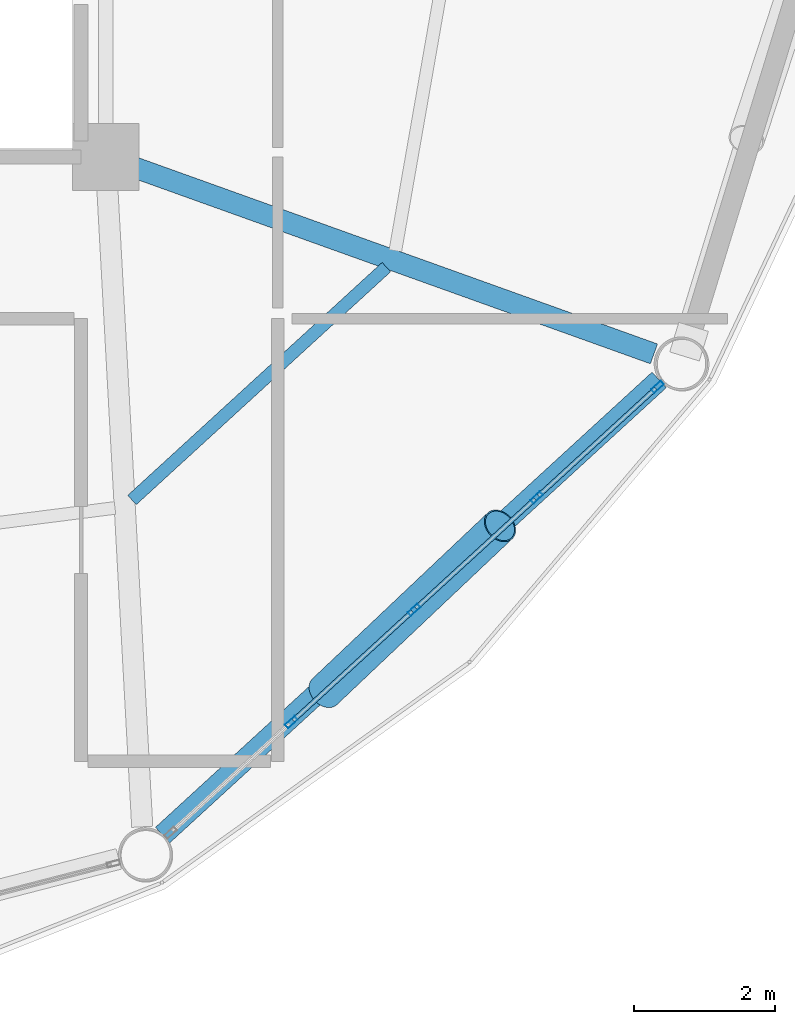
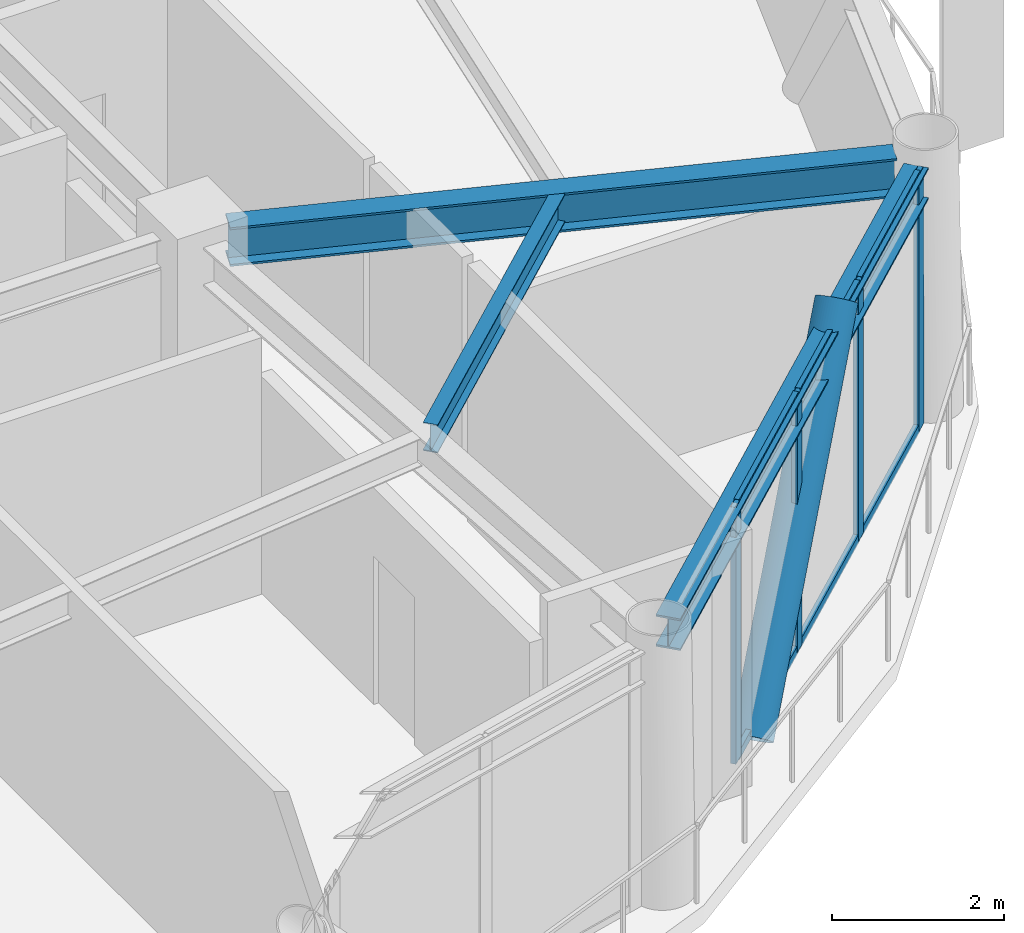
# One storey, part 13 of 26: 11 members, 3 beams, 1 element without a shape of its own.
"""IFC4 building model written with IfcOpenShell, lengths in metres."""

from ifc_helpers import new_model, si_unit, direction, frame, origin, origin_2d, place, context, subcontext, project, spatial, hollow_rectangle, hollow_circle, i_section, extrude, material, layer, layer_set, material_profile, profile_set, type_object, element, aggregate, save


model = new_model("IFC4")

# Units and contexts
model_context = context("Model", 3, precision=1e-05, world=origin(), true_north=direction((0.0, 1.0)))
body_context = subcontext(model_context, "Body", "Model", "MODEL_VIEW")
ifc_project = project(units=[si_unit("LENGTHUNIT", "METRE"), si_unit("AREAUNIT", "SQUARE_METRE"), si_unit("VOLUMEUNIT", "CUBIC_METRE"), si_unit("PLANEANGLEUNIT", "RADIAN"), si_unit("MASSUNIT", "GRAM", prefix="KILO")], contexts=[model_context])

# Site, building, storey
site_placement = place(None, origin())
site = spatial("IfcSite", under=ifc_project, at=site_placement, CompositionType="ELEMENT")
building_placement = place(site_placement, origin())
building = spatial("IfcBuilding", under=site, at=building_placement, Name="Varnakorn Sky Granary", CompositionType="ELEMENT")
storey_placement = place(building_placement, frame((0.0, 0.0, 138.300048828125)))
storey = spatial("IfcBuildingStorey", under=building, at=storey_placement, Name="L34", CompositionType="ELEMENT", Elevation=138.300048828125)

# Beams
ifc_material_1 = material(Name="Steel S355JR", Category="steel")
ifc_material_profile_1 = material_profile(ifc_material_1, i_section(OverallWidth=0.300048828125, OverallDepth=0.550048828125, WebThickness=0.014892578125, FlangeThickness=0.029052734375, at=origin_2d()), Name="HE 550 B")
ifc_profile_set_1 = profile_set([ifc_material_profile_1], Name="Steel S355JR")
beam_type_1 = type_object("IfcBeamType", Name="BM-RAD-Z3", PredefinedType="BEAM", material=ifc_profile_set_1)
beam_1_placement = place(storey_placement, frame((8.745361328125, -6.741943359375, 3.364990234375), z_axis=(0.94122779958, -0.337772451953, 0.0), x_axis=(0.337772451953, 0.94122779958, 0.0)))
element("IfcBeam", 1, at=beam_1_placement, inside=storey, type_object=beam_type_1, Name="Radial Floor Girder RG12 L34", PredefinedType="BEAM", context=body_context, shape_type="SweptSolid", body=[
    extrude(i_section(OverallWidth=0.300048828125, OverallDepth=0.550048828125, WebThickness=0.014892578125, FlangeThickness=0.029052734375, at=origin_2d()), origin(), (0.0, 0.0, 1.0), 7.87060546875),
])
ifc_material_profile_2 = material_profile(ifc_material_1, i_section(OverallWidth=0.179931640625, OverallDepth=0.39990234375, WebThickness=0.008544921875, FlangeThickness=0.013427734375, at=origin_2d()), Name="IPE 400")
ifc_profile_set_2 = profile_set([ifc_material_profile_2], Name="Steel S355JR")
beam_type_2 = type_object("IfcBeamType", Name="BM-SEC-Z3", PredefinedType="BEAM", material=ifc_profile_set_2)
beam_2_placement = place(storey_placement, frame((8.72509765625, -11.48046875, 3.43994140625), z_axis=(0.737601957736, 0.675235775078, 0.0), x_axis=(-0.675235775078, 0.737601957736, 0.0)))
element("IfcBeam", 2, at=beam_2_placement, inside=storey, type_object=beam_type_2, Name="Secondary Floor Chord Beam MSB11 L34", PredefinedType="BEAM", context=body_context, shape_type="SweptSolid", body=[
    extrude(i_section(OverallWidth=0.179931640625, OverallDepth=0.39990234375, WebThickness=0.008544921875, FlangeThickness=0.013427734375, at=origin_2d()), origin(), (0.0, 0.0, 1.0), 4.908935546875),
])
ifc_material_profile_3 = material_profile(ifc_material_1, i_section(OverallWidth=0.300048828125, OverallDepth=0.449951171875, WebThickness=0.013916015625, FlangeThickness=0.02587890625, at=origin_2d()), Name="HE 450 B")
ifc_profile_set_3 = profile_set([ifc_material_profile_3], Name="Steel S355JR")
beam_type_3 = type_object("IfcBeamType", Name="BM-SPD-Z3", PredefinedType="SPANDREL", material=ifc_profile_set_3)
beam_3_placement = place(storey_placement, frame((9.160888671875, -16.248779296875, 3.4150390625), z_axis=(0.737177396724, 0.675699256888, 0.0), x_axis=(-0.675699256888, 0.737177396724, 0.0)))
element("IfcBeam", 3, at=beam_3_placement, inside=storey, type_object=beam_type_3, Name="Perimeter Spandrel Ring Beam RB11 L34", PredefinedType="SPANDREL", context=body_context, shape_type="SweptSolid", body=[
    extrude(i_section(OverallWidth=0.300048828125, OverallDepth=0.449951171875, WebThickness=0.013916015625, FlangeThickness=0.02587890625, at=origin_2d()), origin(), (0.0, 0.0, 1.0), 9.58642578125),
])

# Curtain wall, members
ifc_material_2 = material(Name="Anodised Bronze Aluminium Alloy 6063-T6", Category="aluminium")
ifc_layer = layer(ifc_material_2, 0.179931640625, Name="Anodised Bronze Aluminium Alloy 6063-T6")
ifc_layer_set = layer_set([ifc_layer], Name="Anodised Bronze Aluminium Alloy 6063-T6")
curtain_wall_type = type_object("IfcCurtainWallType", Name="CW-FRM-2", PredefinedType="USERDEFINED", material=ifc_layer_set)
curtain_wall_placement = place(storey_placement, origin())
curtain_wall = element("IfcCurtainWall", 4, at=curtain_wall_placement, inside=storey, type_object=curtain_wall_type, Name="Unitised Curtain Wall CW4 CW-L34-B11", ObjectType="CURTAIN WALL", PredefinedType="USERDEFINED")
ifc_material_profile_4 = material_profile(ifc_material_2, hollow_rectangle(XDim=0.070068359375, YDim=0.18505859375, WallThickness=0.00390625, at=origin_2d()), Name="ALU MULL 70x185")
ifc_profile_set_4 = profile_set([ifc_material_profile_4], Name="Anodised Bronze Aluminium Alloy 6063-T6")
member_type_1 = type_object("IfcMemberType", Name="CW-FRM-2-MULL", PredefinedType="MULLION", material=ifc_profile_set_4)
member_1_placement = place(storey_placement, frame((16.203857421875, -9.86962890625, 0.0), z_axis=(0.0, 0.0, 1.0), x_axis=(0.675438035219, -0.737416748236, 0.0)))
member_1 = element("IfcMember", 5, at=member_1_placement, type_object=member_type_1, Name="CW4 mullion 1", PredefinedType="MULLION", context=body_context, shape_type="SweptSolid", body=[
    extrude(hollow_rectangle(XDim=0.070068359375, YDim=0.18505859375, WallThickness=0.00390625, at=origin_2d()), origin(), (0.0, 0.0, 1.0), 3.639892578125),
])
member_2_placement = place(storey_placement, frame((14.484619140625, -11.4443359375, 0.0), z_axis=(0.0, 0.0, 1.0), x_axis=(0.675438035219, -0.737416748236, 0.0)))
member_2 = element("IfcMember", 6, at=member_2_placement, type_object=member_type_1, Name="CW4 mullion 2", PredefinedType="MULLION", context=body_context, shape_type="SweptSolid", body=[
    extrude(hollow_rectangle(XDim=0.070068359375, YDim=0.18505859375, WallThickness=0.00390625, at=origin_2d()), origin(), (0.0, 0.0, 1.0), 3.639892578125),
])
member_3_placement = place(storey_placement, frame((12.739501953125, -13.042724609375, 0.0), z_axis=(0.0, 0.0, 1.0), x_axis=(0.675438035219, -0.737416748236, 0.0)))
member_3 = element("IfcMember", 7, at=member_3_placement, type_object=member_type_1, Name="CW4 mullion 3", PredefinedType="MULLION", context=body_context, shape_type="SweptSolid", body=[
    extrude(hollow_rectangle(XDim=0.070068359375, YDim=0.18505859375, WallThickness=0.00390625, at=origin_2d()), origin(), (0.0, 0.0, 1.0), 3.639892578125),
])
member_4_placement = place(storey_placement, frame((10.994384765625, -14.641357421875, 0.0), z_axis=(0.0, 0.0, 1.0), x_axis=(0.675438035219, -0.737416748236, 0.0)))
member_4 = element("IfcMember", 8, at=member_4_placement, type_object=member_type_1, Name="CW4 mullion 4", PredefinedType="MULLION", context=body_context, shape_type="SweptSolid", body=[
    extrude(hollow_rectangle(XDim=0.070068359375, YDim=0.18505859375, WallThickness=0.00390625, at=origin_2d()), origin(), (0.0, 0.0, 1.0), 3.639892578125),
])
ifc_material_profile_5 = material_profile(ifc_material_2, hollow_rectangle(XDim=0.06494140625, YDim=0.1201171875, WallThickness=0.00341796875, at=origin_2d()), Name="ALU TRAN 65x120")
ifc_profile_set_5 = profile_set([ifc_material_profile_5], Name="Anodised Bronze Aluminium Alloy 6063-T6")
member_type_2 = type_object("IfcMemberType", Name="CW-FRM-2-TRAN", PredefinedType="USERDEFINED", material=ifc_profile_set_5)
member_5_placement = place(storey_placement, frame((16.177978515625, -9.89306640625, 0.032470703125), z_axis=(-0.737360246557, -0.675499716356, 0.0), x_axis=(0.675499716356, -0.737360246557, 0.0)))
member_5 = element("IfcMember", 9, at=member_5_placement, type_object=member_type_2, Name="CW4 transom 1.1", ObjectType="TRANSOM", PredefinedType="USERDEFINED", context=body_context, shape_type="SweptSolid", body=[
    extrude(hollow_rectangle(XDim=0.06494140625, YDim=0.1201171875, WallThickness=0.00341796875, at=origin_2d()), origin(), (0.0, 0.0, 1.0), 2.261474609375),
])
member_6_placement = place(storey_placement, frame((16.177978515625, -9.89306640625, 3.607421875), z_axis=(-0.737360246557, -0.675499716356, 0.0), x_axis=(0.675499716356, -0.737360246557, 0.0)))
member_6 = element("IfcMember", 10, at=member_6_placement, type_object=member_type_2, Name="CW4 transom 1.2", ObjectType="TRANSOM", PredefinedType="USERDEFINED", context=body_context, shape_type="SweptSolid", body=[
    extrude(hollow_rectangle(XDim=0.06494140625, YDim=0.1201171875, WallThickness=0.00341796875, at=origin_2d()), origin(), (0.0, 0.0, 1.0), 2.261474609375),
])
member_7_placement = place(storey_placement, frame((14.458740234375, -11.468017578125, 0.032470703125), z_axis=(-0.737418874608, -0.675435713723, 0.0), x_axis=(0.675435713723, -0.737418874608, 0.0)))
member_7 = element("IfcMember", 11, at=member_7_placement, type_object=member_type_2, Name="CW4 transom 2.1", ObjectType="TRANSOM", PredefinedType="USERDEFINED", context=body_context, shape_type="SweptSolid", body=[
    extrude(hollow_rectangle(XDim=0.06494140625, YDim=0.1201171875, WallThickness=0.00341796875, at=origin_2d()), origin(), (0.0, 0.0, 1.0), 2.29638671875),
])
member_8_placement = place(storey_placement, frame((14.458740234375, -11.468017578125, 3.607421875), z_axis=(-0.737418874608, -0.675435713723, 0.0), x_axis=(0.675435713723, -0.737418874608, 0.0)))
member_8 = element("IfcMember", 12, at=member_8_placement, type_object=member_type_2, Name="CW4 transom 2.2", ObjectType="TRANSOM", PredefinedType="USERDEFINED", context=body_context, shape_type="SweptSolid", body=[
    extrude(hollow_rectangle(XDim=0.06494140625, YDim=0.1201171875, WallThickness=0.00341796875, at=origin_2d()), origin(), (0.0, 0.0, 1.0), 2.29638671875),
])
member_9_placement = place(storey_placement, frame((12.713623046875, -13.06640625, 0.032470703125), z_axis=(-0.737414424206, -0.675440572496, 0.0), x_axis=(0.675440572496, -0.737414424206, 0.0)))
member_9 = element("IfcMember", 13, at=member_9_placement, type_object=member_type_2, Name="CW4 transom 3.1", ObjectType="TRANSOM", PredefinedType="USERDEFINED", context=body_context, shape_type="SweptSolid", body=[
    extrude(hollow_rectangle(XDim=0.06494140625, YDim=0.1201171875, WallThickness=0.00341796875, at=origin_2d()), origin(), (0.0, 0.0, 1.0), 2.296630859375),
])
member_10_placement = place(storey_placement, frame((12.713623046875, -13.06640625, 3.607421875), z_axis=(-0.737414424206, -0.675440572496, 0.0), x_axis=(0.675440572496, -0.737414424206, 0.0)))
member_10 = element("IfcMember", 14, at=member_10_placement, type_object=member_type_2, Name="CW4 transom 3.2", ObjectType="TRANSOM", PredefinedType="USERDEFINED", context=body_context, shape_type="SweptSolid", body=[
    extrude(hollow_rectangle(XDim=0.06494140625, YDim=0.1201171875, WallThickness=0.00341796875, at=origin_2d()), origin(), (0.0, 0.0, 1.0), 2.296630859375),
])
aggregate(curtain_wall, [member_1, member_2, member_3, member_4, member_5, member_6, member_7, member_8, member_9, member_10])

# Member
ifc_material_3 = material(Name="Steel S460M", Category="steel")
ifc_material_profile_6 = material_profile(ifc_material_3, hollow_circle(Radius=0.25390625, WallThickness=0.01806640625, at=origin_2d()), Name="CHS 508x18")
ifc_profile_set_6 = profile_set([ifc_material_profile_6], Name="Steel S460M")
member_type_3 = type_object("IfcMemberType", Name="MB-DIAG-T2", PredefinedType="BRACE", material=ifc_profile_set_6)
member_11_placement = place(storey_placement, frame((11.467529296875, -14.207763671875, -0.130126953125), z_axis=(0.478676855407, 0.452817624228, 0.752213179415), x_axis=(-0.687212022838, 0.726456905582, 0.0)))
element("IfcMember", 15, at=member_11_placement, inside=storey, type_object=member_type_3, Name="Perimeter CHS Diagrid Brace DG11 L34", PredefinedType="BRACE", context=body_context, shape_type="SweptSolid", body=[
    extrude(hollow_circle(Radius=0.25390625, WallThickness=0.01806640625, at=origin_2d()), origin(), (0.0, 0.0, 1.0), 5.21142578125),
])

save(model, "model.ifc")
